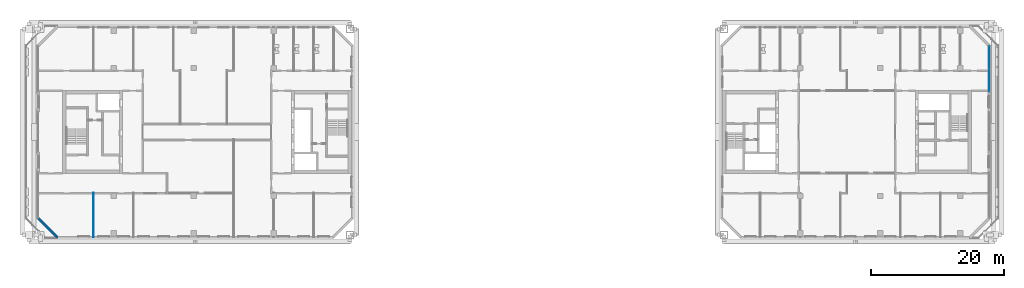
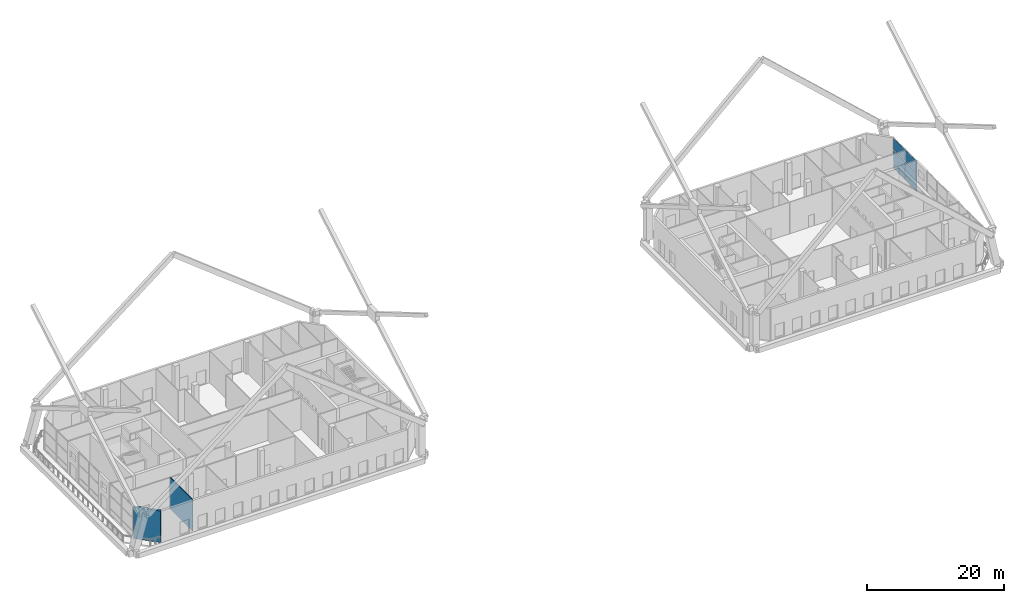
# One storey, part 8 of 20: 6 plates, 2 walls, 1 element without a shape of its own.
"""IFC4 building model written with IfcOpenShell, lengths in metres."""

from ifc_helpers import new_model, si_unit, direction, frame, frame_2d, origin, origin_2d, place, context, subcontext, project, spatial, rectangle, extrude, material, layer, layer_set, type_object, element, aggregate, save


model = new_model("IFC4")

# Units and contexts
model_context = context("Model", 3, precision=1e-05, world=origin(), true_north=direction((0.0, 1.0)))
body_context = subcontext(model_context, "Body", "Model", "MODEL_VIEW")
ifc_project = project(units=[si_unit("LENGTHUNIT", "METRE"), si_unit("AREAUNIT", "SQUARE_METRE"), si_unit("VOLUMEUNIT", "CUBIC_METRE"), si_unit("PLANEANGLEUNIT", "RADIAN"), si_unit("MASSUNIT", "GRAM", prefix="KILO")], contexts=[model_context])

# Site, building, storey
site_placement = place(None, origin())
site = spatial("IfcSite", under=ifc_project, at=site_placement, CompositionType="ELEMENT")
building_placement = place(site_placement, origin())
building = spatial("IfcBuilding", under=site, at=building_placement, Name="Tuart Gate Housing", CompositionType="ELEMENT")
storey_placement = place(building_placement, frame((0.0, 0.0, 142.300048828125)))
storey = spatial("IfcBuildingStorey", under=building, at=storey_placement, Name="L40", CompositionType="ELEMENT", Elevation=142.300048828125)

# Curtain wall, plates
ifc_material_1 = material(Name="Aluminium and clear glass", Category="aluminium")
curtain_wall_type = type_object("IfcCurtainWallType", Name="Sky garden front glazing", PredefinedType="USERDEFINED", material=ifc_material_1)
curtain_wall_placement = place(storey_placement, origin())
curtain_wall = element("IfcCurtainWall", 1, at=curtain_wall_placement, inside=storey, type_object=curtain_wall_type, Name="Sky garden front glazing B-E L40", ObjectType="SKY GARDEN FRONT GLAZING", PredefinedType="USERDEFINED")
ifc_material_2 = material(Name="Clear glass", Category="glass")
ifc_layer_1 = layer(ifc_material_2, 0.028076171875)
ifc_layer_set_1 = layer_set([ifc_layer_1], Name="Glazed panel 28")
plate_type = type_object("IfcPlateType", Name="Glazed panel 28", PredefinedType="CURTAIN_PANEL", material=ifc_layer_set_1)
plate_1_placement = place(storey_placement, frame((171.320068359375, 77.746337890625, 0.119873046875), z_axis=(0.0, 0.0, 1.0), x_axis=(0.0, 1.0, 0.0)))
plate_1 = element("IfcPlate", 2, at=plate_1_placement, type_object=plate_type, Name="CW4 panel 1.1", PredefinedType="CURTAIN_PANEL", context=body_context, shape_type="SweptSolid", body=[
    extrude(rectangle(XDim=3.372802734375, YDim=0.028076171875, at=origin_2d()), origin(), (0.0, 0.0, 1.0), 0.919921875),
])
plate_2_placement = place(storey_placement, frame((171.320068359375, 77.746337890625, 1.16015625), z_axis=(0.0, 0.0, 1.0), x_axis=(0.0, 1.0, 0.0)))
plate_2 = element("IfcPlate", 3, at=plate_2_placement, type_object=plate_type, Name="CW4 panel 1.2", PredefinedType="CURTAIN_PANEL", context=body_context, shape_type="SweptSolid", body=[
    extrude(rectangle(XDim=3.372802734375, YDim=0.028076171875, at=origin_2d()), origin(), (0.0, 0.0, 1.0), 2.179931640625),
])
plate_3_placement = place(storey_placement, frame((171.320068359375, 77.746337890625, 3.4599609375), z_axis=(0.0, 0.0, 1.0), x_axis=(0.0, 1.0, 0.0)))
plate_3 = element("IfcPlate", 4, at=plate_3_placement, type_object=plate_type, Name="CW4 panel 1.3", PredefinedType="CURTAIN_PANEL", context=body_context, shape_type="SweptSolid", body=[
    extrude(rectangle(XDim=3.372802734375, YDim=0.028076171875, at=origin_2d()), origin(), (0.0, 0.0, 1.0), 2.02001953125),
])
plate_4_placement = place(storey_placement, frame((171.320068359375, 81.17919921875, 0.119873046875), z_axis=(0.0, 0.0, 1.0), x_axis=(0.0, 1.0, 0.0)))
plate_4 = element("IfcPlate", 5, at=plate_4_placement, type_object=plate_type, Name="CW4 panel 2.1", PredefinedType="CURTAIN_PANEL", context=body_context, shape_type="SweptSolid", body=[
    extrude(rectangle(XDim=3.372802734375, YDim=0.028076171875, at=origin_2d()), origin(), (0.0, 0.0, 1.0), 0.919921875),
])
plate_5_placement = place(storey_placement, frame((171.320068359375, 81.17919921875, 1.16015625), z_axis=(0.0, 0.0, 1.0), x_axis=(0.0, 1.0, 0.0)))
plate_5 = element("IfcPlate", 6, at=plate_5_placement, type_object=plate_type, Name="CW4 panel 2.2", PredefinedType="CURTAIN_PANEL", context=body_context, shape_type="SweptSolid", body=[
    extrude(rectangle(XDim=3.372802734375, YDim=0.028076171875, at=origin_2d()), origin(), (0.0, 0.0, 1.0), 2.179931640625),
])
plate_6_placement = place(storey_placement, frame((171.320068359375, 81.17919921875, 3.4599609375), z_axis=(0.0, 0.0, 1.0), x_axis=(0.0, 1.0, 0.0)))
plate_6 = element("IfcPlate", 7, at=plate_6_placement, type_object=plate_type, Name="CW4 panel 2.3", PredefinedType="CURTAIN_PANEL", context=body_context, shape_type="SweptSolid", body=[
    extrude(rectangle(XDim=3.372802734375, YDim=0.028076171875, at=origin_2d()), origin(), (0.0, 0.0, 1.0), 2.02001953125),
])
aggregate(curtain_wall, [plate_1, plate_2, plate_3, plate_4, plate_5, plate_6])

# Walls
ifc_material_3 = material(Name="Brick", Category="masonry")
ifc_layer_2 = layer(ifc_material_3, 0.360107421875)
ifc_layer_set_2 = layer_set([ifc_layer_2], Name="Brick pier and spandrel wall 360")
wall_type_1 = type_object("IfcWallType", Name="Brick pier and spandrel wall 360", PredefinedType="STANDARD", material=ifc_layer_set_2)
wall_1_placement = place(storey_placement, frame((28.679931640625, 57.07470703125, 0.0), z_axis=(0.0, 0.0, 1.0), x_axis=(0.707106781187, -0.707106781187, 0.0)))
element("IfcWall", 8, at=wall_1_placement, inside=storey, type_object=wall_type_1, Name="External wall A-SW L40", PredefinedType="STANDARD", context=body_context, shape_type="SweptSolid", body=[
    extrude(rectangle(XDim=4.09375, YDim=0.360107421875, at=frame_2d((2.046875, 0.0))), origin(), (0.0, 0.0, 1.0), 5.599853515625),
])
ifc_material_4 = material(Name="Gypsum board on steel studs", Category="steel")
ifc_layer_3 = layer(ifc_material_4, 0.10009765625)
ifc_layer_set_3 = layer_set([ifc_layer_3], Name="Partition 100")
wall_type_2 = type_object("IfcWallType", Name="Partition 100", PredefinedType="PARTITIONING", material=ifc_layer_set_3)
wall_2_placement = place(storey_placement, frame((37.0, 54.239990234375, 0.0), z_axis=(0.0, 0.0, 1.0), x_axis=(0.0, 1.0, 0.0)))
element("IfcWall", 9, at=wall_2_placement, inside=storey, type_object=wall_type_2, Name="Partition 100", PredefinedType="PARTITIONING", context=body_context, shape_type="SweptSolid", body=[
    extrude(rectangle(XDim=6.659912109375, YDim=0.10009765625, at=frame_2d((3.330078125, 0.0))), origin(), (0.0, 0.0, 1.0), 5.599853515625),
])

save(model, "model.ifc")
